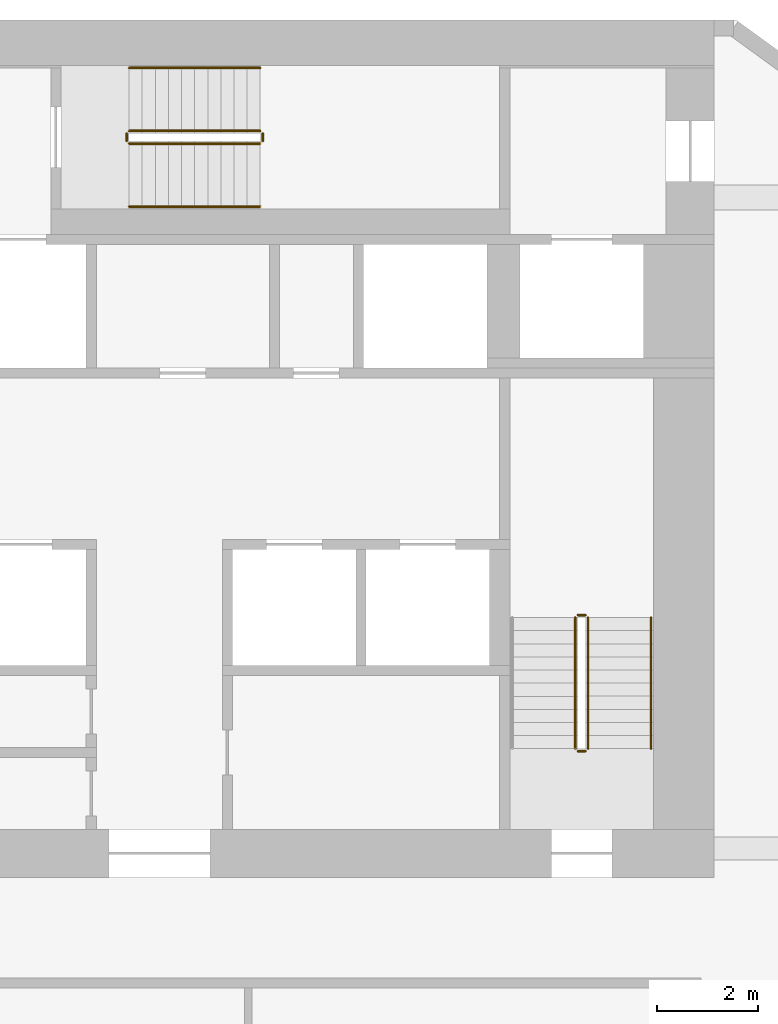
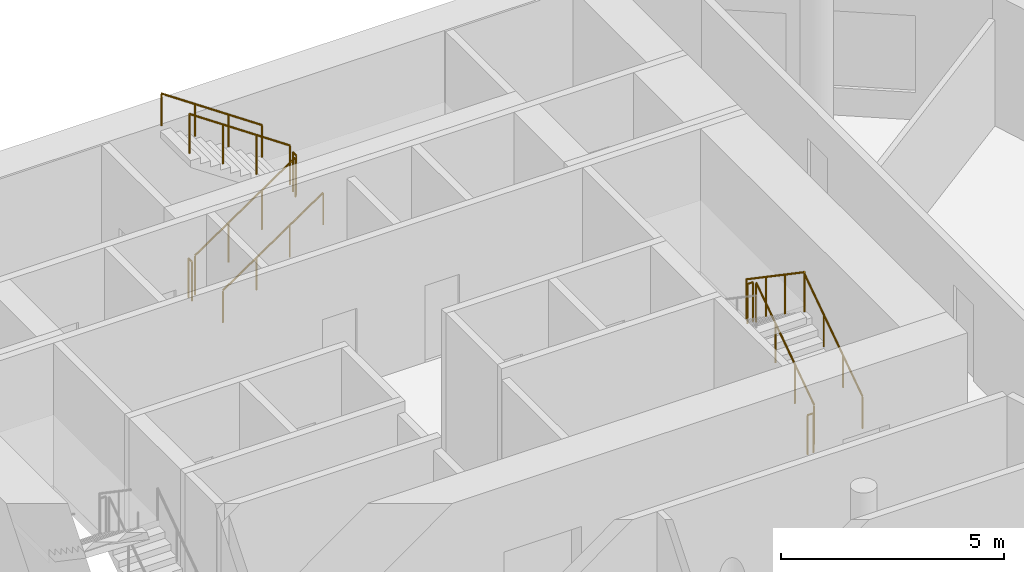
# One storey, part 9 of 9: 11 railings.
"""IFC4 building model written with IfcOpenShell, lengths in metres."""

from ifc_helpers import new_model, si_unit, direction, frame, origin, origin_2d, place, context, subcontext, project, spatial, circle, extrude, material, type_object, element, save


model = new_model("IFC4")

# Units and contexts
model_context = context("Model", 3, precision=1e-05, world=origin(), true_north=direction((0.0, 1.0)))
body_context = subcontext(model_context, "Body", "Model", "MODEL_VIEW")
ifc_project = project(units=[si_unit("LENGTHUNIT", "METRE"), si_unit("AREAUNIT", "SQUARE_METRE"), si_unit("VOLUMEUNIT", "CUBIC_METRE"), si_unit("PLANEANGLEUNIT", "RADIAN"), si_unit("MASSUNIT", "GRAM", prefix="KILO")], contexts=[model_context])

# Site, building, storey
site_placement = place(None, origin())
site = spatial("IfcSite", under=ifc_project, at=site_placement, CompositionType="ELEMENT")
building_placement = place(site_placement, origin())
building = spatial("IfcBuilding", under=site, at=building_placement, Name="White Candle Pilgrim Tower", CompositionType="ELEMENT")
storey_placement = place(building_placement, frame((0.0, 0.0, 179.800048828125)))
storey = spatial("IfcBuildingStorey", under=building, at=storey_placement, Name="L41", CompositionType="ELEMENT", Elevation=179.800048828125)

# Railings
ifc_material = material(Name="Stainless steel", Category="steel")
railing_type_1 = type_object("IfcRailingType", Name="Stair guard stainless steel 1100 mm", PredefinedType="GUARDRAIL", material=ifc_material)
railing_1_placement = place(storey_placement, frame((78.5, 73.550048828125, 0.17724609375)))
element("IfcRailing", 1, at=railing_1_placement, inside=storey, type_object=railing_type_1, Name="L41 ST2 stair guard 1", PredefinedType="GUARDRAIL", context=body_context, shape_type="SweptSolid", body=[
    extrude(circle(Radius=0.02392578125, at=origin_2d()), frame((0.0, 0.0, 1.076171875), z_axis=(0.0, 0.826215852431, 0.563353676824), x_axis=(-1.0, 0.0, 0.0)), (0.0, 0.0, 1.0), 3.146728515625),
    extrude(circle(Radius=0.02099609375, at=origin_2d()), origin(), (0.0, 0.0, 1.0), 1.052001953125),
    extrude(circle(Radius=0.02099609375, at=origin_2d()), frame((0.0, 0.86669921875, 0.5908203125)), (0.0, 0.0, 1.0), 1.052001953125),
    extrude(circle(Radius=0.02099609375, at=origin_2d()), frame((0.0, 1.733154296875, 1.181884765625)), (0.0, 0.0, 1.0), 1.052001953125),
    extrude(circle(Radius=0.02099609375, at=origin_2d()), frame((0.0, 2.599853515625, 1.772705078125)), (0.0, 0.0, 1.0), 1.052001953125),
])
railing_2_placement = place(storey_placement, frame((78.449951171875, 76.199951171875, 1.949951171875)))
element("IfcRailing", 2, at=railing_2_placement, inside=storey, type_object=railing_type_1, Name="L41 ST2 stair guard 2", PredefinedType="GUARDRAIL", context=body_context, shape_type="SweptSolid", body=[
    extrude(circle(Radius=0.02392578125, at=origin_2d()), frame((0.0, 0.0, 1.076171875), z_axis=(-1.0, 0.0, 0.0), x_axis=(0.0, -1.0, 0.0)), (0.0, 0.0, 1.0), 0.14990234375),
    extrude(circle(Radius=0.02099609375, at=origin_2d()), origin(), (0.0, 0.0, 1.0), 1.052001953125),
    extrude(circle(Radius=0.02099609375, at=origin_2d()), frame((-0.14990234375, 0.0, 0.0)), (0.0, 0.0, 1.0), 1.052001953125),
])
railing_3_placement = place(storey_placement, frame((78.25, 76.14990234375, 2.127197265625)))
element("IfcRailing", 3, at=railing_3_placement, inside=storey, type_object=railing_type_1, Name="L41 ST2 stair guard 3", PredefinedType="GUARDRAIL", context=body_context, shape_type="SweptSolid", body=[
    extrude(circle(Radius=0.02392578125, at=origin_2d()), frame((0.0, 0.0, 1.076171875), z_axis=(0.0, -0.826215852431, 0.563353676824), x_axis=(1.0, 0.0, 0.0)), (0.0, 0.0, 1.0), 3.146728515625),
    extrude(circle(Radius=0.02099609375, at=origin_2d()), origin(), (0.0, 0.0, 1.0), 1.052001953125),
    extrude(circle(Radius=0.02099609375, at=origin_2d()), frame((0.0, -0.86669921875, 0.5908203125)), (0.0, 0.0, 1.0), 1.052001953125),
    extrude(circle(Radius=0.02099609375, at=origin_2d()), frame((0.0, -1.733154296875, 1.181884765625)), (0.0, 0.0, 1.0), 1.052001953125),
    extrude(circle(Radius=0.02099609375, at=origin_2d()), frame((0.0, -2.599853515625, 1.772705078125)), (0.0, 0.0, 1.0), 1.052001953125),
])
railing_4_placement = place(storey_placement, frame((78.449951171875, 73.5, 0.0)))
element("IfcRailing", 4, at=railing_4_placement, inside=storey, type_object=railing_type_1, Name="L41 ST2 stair guard 4", PredefinedType="GUARDRAIL", context=body_context, shape_type="SweptSolid", body=[
    extrude(circle(Radius=0.02392578125, at=origin_2d()), frame((0.0, 0.0, 1.076171875), z_axis=(-1.0, 0.0, 0.0), x_axis=(0.0, -1.0, 0.0)), (0.0, 0.0, 1.0), 0.14990234375),
    extrude(circle(Radius=0.02099609375, at=origin_2d()), origin(), (0.0, 0.0, 1.0), 1.052001953125),
    extrude(circle(Radius=0.02099609375, at=origin_2d()), frame((-0.14990234375, 0.0, 0.0)), (0.0, 0.0, 1.0), 1.052001953125),
])
railing_5_placement = place(storey_placement, frame((69.39990234375, 85.550048828125, 0.17724609375)))
element("IfcRailing", 5, at=railing_5_placement, inside=storey, type_object=railing_type_1, Name="L41 ST3 stair guard 1", PredefinedType="GUARDRAIL", context=body_context, shape_type="SweptSolid", body=[
    extrude(circle(Radius=0.02392578125, at=origin_2d()), frame((0.0, 0.0, 1.076171875), z_axis=(0.826240473404, 0.0, 0.563317565952), x_axis=(0.0, 1.0, 0.0)), (0.0, 0.0, 1.0), 3.14697265625),
    extrude(circle(Radius=0.02099609375, at=origin_2d()), origin(), (0.0, 0.0, 1.0), 1.052001953125),
    extrude(circle(Radius=0.02099609375, at=origin_2d()), frame((0.86669921875, 0.0, 0.5908203125)), (0.0, 0.0, 1.0), 1.052001953125),
    extrude(circle(Radius=0.02099609375, at=origin_2d()), frame((1.7333984375, 0.0, 1.181884765625)), (0.0, 0.0, 1.0), 1.052001953125),
    extrude(circle(Radius=0.02099609375, at=origin_2d()), frame((2.60009765625, 0.0, 1.772705078125)), (0.0, 0.0, 1.0), 1.052001953125),
])
railing_6_placement = place(storey_placement, frame((72.050048828125, 85.60009765625, 1.949951171875)))
element("IfcRailing", 6, at=railing_6_placement, inside=storey, type_object=railing_type_1, Name="L41 ST3 stair guard 2", PredefinedType="GUARDRAIL", context=body_context, shape_type="SweptSolid", body=[
    extrude(circle(Radius=0.02392578125, at=origin_2d()), frame((0.0, 0.0, 1.076171875), z_axis=(0.0, 1.0, 0.0), x_axis=(-1.0, 0.0, 0.0)), (0.0, 0.0, 1.0), 0.14990234375),
    extrude(circle(Radius=0.02099609375, at=origin_2d()), origin(), (0.0, 0.0, 1.0), 1.052001953125),
    extrude(circle(Radius=0.02099609375, at=origin_2d()), frame((0.0, 0.14990234375, 0.0)), (0.0, 0.0, 1.0), 1.052001953125),
])
railing_7_placement = place(storey_placement, frame((72.0, 85.800048828125, 2.127197265625)))
element("IfcRailing", 7, at=railing_7_placement, inside=storey, type_object=railing_type_1, Name="L41 ST3 stair guard 3", PredefinedType="GUARDRAIL", context=body_context, shape_type="SweptSolid", body=[
    extrude(circle(Radius=0.02392578125, at=origin_2d()), frame((0.0, 0.0, 1.076171875), z_axis=(-0.826240473404, 0.0, 0.563317565952), x_axis=(0.0, -1.0, 0.0)), (0.0, 0.0, 1.0), 3.14697265625),
    extrude(circle(Radius=0.02099609375, at=origin_2d()), origin(), (0.0, 0.0, 1.0), 1.052001953125),
    extrude(circle(Radius=0.02099609375, at=origin_2d()), frame((-0.86669921875, 0.0, 0.5908203125)), (0.0, 0.0, 1.0), 1.052001953125),
    extrude(circle(Radius=0.02099609375, at=origin_2d()), frame((-1.7333984375, 0.0, 1.181884765625)), (0.0, 0.0, 1.0), 1.052001953125),
    extrude(circle(Radius=0.02099609375, at=origin_2d()), frame((-2.60009765625, 0.0, 1.772705078125)), (0.0, 0.0, 1.0), 1.052001953125),
])
railing_8_placement = place(storey_placement, frame((69.35009765625, 85.60009765625, 0.0)))
element("IfcRailing", 8, at=railing_8_placement, inside=storey, type_object=railing_type_1, Name="L41 ST3 stair guard 4", PredefinedType="GUARDRAIL", context=body_context, shape_type="SweptSolid", body=[
    extrude(circle(Radius=0.02392578125, at=origin_2d()), frame((0.0, 0.0, 1.076171875), z_axis=(0.0, 1.0, 0.0), x_axis=(-1.0, 0.0, 0.0)), (0.0, 0.0, 1.0), 0.14990234375),
    extrude(circle(Radius=0.02099609375, at=origin_2d()), origin(), (0.0, 0.0, 1.0), 1.052001953125),
    extrude(circle(Radius=0.02099609375, at=origin_2d()), frame((0.0, 0.14990234375, 0.0)), (0.0, 0.0, 1.0), 1.052001953125),
])
railing_type_2 = type_object("IfcRailingType", Name="Stair handrail stainless steel", PredefinedType="HANDRAIL", material=ifc_material)
railing_9_placement = place(storey_placement, frame((79.75, 73.550048828125, 0.17724609375)))
element("IfcRailing", 9, at=railing_9_placement, inside=storey, type_object=railing_type_2, Name="L41 ST2 stair handrail 1", PredefinedType="HANDRAIL", context=body_context, shape_type="SweptSolid", body=[
    extrude(circle(Radius=0.02392578125, at=origin_2d()), frame((0.0, 0.0, 0.8759765625), z_axis=(0.0, 0.826215852431, 0.563353676824), x_axis=(-1.0, 0.0, 0.0)), (0.0, 0.0, 1.0), 3.146728515625),
    extrude(circle(Radius=0.02099609375, at=origin_2d()), origin(), (0.0, 0.0, 1.0), 0.851806640625),
    extrude(circle(Radius=0.02099609375, at=origin_2d()), frame((0.0, 0.86669921875, 0.5908203125)), (0.0, 0.0, 1.0), 0.851806640625),
    extrude(circle(Radius=0.02099609375, at=origin_2d()), frame((0.0, 1.733154296875, 1.181884765625)), (0.0, 0.0, 1.0), 0.851806640625),
    extrude(circle(Radius=0.02099609375, at=origin_2d()), frame((0.0, 2.599853515625, 1.772705078125)), (0.0, 0.0, 1.0), 0.851806640625),
])
railing_10_placement = place(storey_placement, frame((69.39990234375, 84.300048828125, 0.17724609375)))
element("IfcRailing", 10, at=railing_10_placement, inside=storey, type_object=railing_type_2, Name="L41 ST3 stair handrail 1", PredefinedType="HANDRAIL", context=body_context, shape_type="SweptSolid", body=[
    extrude(circle(Radius=0.02392578125, at=origin_2d()), frame((0.0, 0.0, 0.8759765625), z_axis=(0.826240473404, 0.0, 0.563317565952), x_axis=(0.0, 1.0, 0.0)), (0.0, 0.0, 1.0), 3.14697265625),
    extrude(circle(Radius=0.02099609375, at=origin_2d()), origin(), (0.0, 0.0, 1.0), 0.851806640625),
    extrude(circle(Radius=0.02099609375, at=origin_2d()), frame((0.86669921875, 0.0, 0.5908203125)), (0.0, 0.0, 1.0), 0.851806640625),
    extrude(circle(Radius=0.02099609375, at=origin_2d()), frame((1.7333984375, 0.0, 1.181884765625)), (0.0, 0.0, 1.0), 0.851806640625),
    extrude(circle(Radius=0.02099609375, at=origin_2d()), frame((2.60009765625, 0.0, 1.772705078125)), (0.0, 0.0, 1.0), 0.851806640625),
])
railing_11_placement = place(storey_placement, frame((72.0, 87.050048828125, 2.127197265625)))
element("IfcRailing", 11, at=railing_11_placement, inside=storey, type_object=railing_type_2, Name="L41 ST3 stair handrail 2", PredefinedType="HANDRAIL", context=body_context, shape_type="SweptSolid", body=[
    extrude(circle(Radius=0.02392578125, at=origin_2d()), frame((0.0, 0.0, 0.8759765625), z_axis=(-0.826240473404, 0.0, 0.563317565952), x_axis=(0.0, -1.0, 0.0)), (0.0, 0.0, 1.0), 3.14697265625),
    extrude(circle(Radius=0.02099609375, at=origin_2d()), origin(), (0.0, 0.0, 1.0), 0.851806640625),
    extrude(circle(Radius=0.02099609375, at=origin_2d()), frame((-0.86669921875, 0.0, 0.5908203125)), (0.0, 0.0, 1.0), 0.851806640625),
    extrude(circle(Radius=0.02099609375, at=origin_2d()), frame((-1.7333984375, 0.0, 1.181884765625)), (0.0, 0.0, 1.0), 0.851806640625),
    extrude(circle(Radius=0.02099609375, at=origin_2d()), frame((-2.60009765625, 0.0, 1.772705078125)), (0.0, 0.0, 1.0), 0.851806640625),
])

save(model, "model.ifc")
